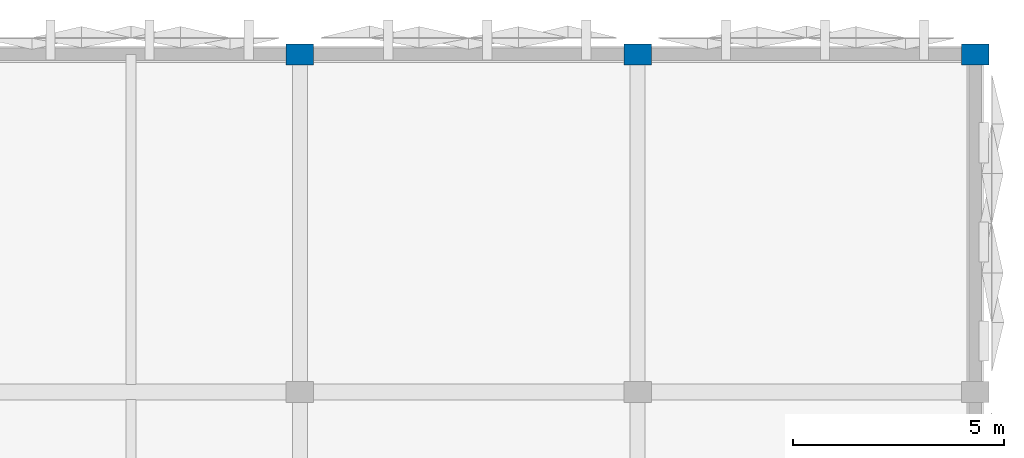
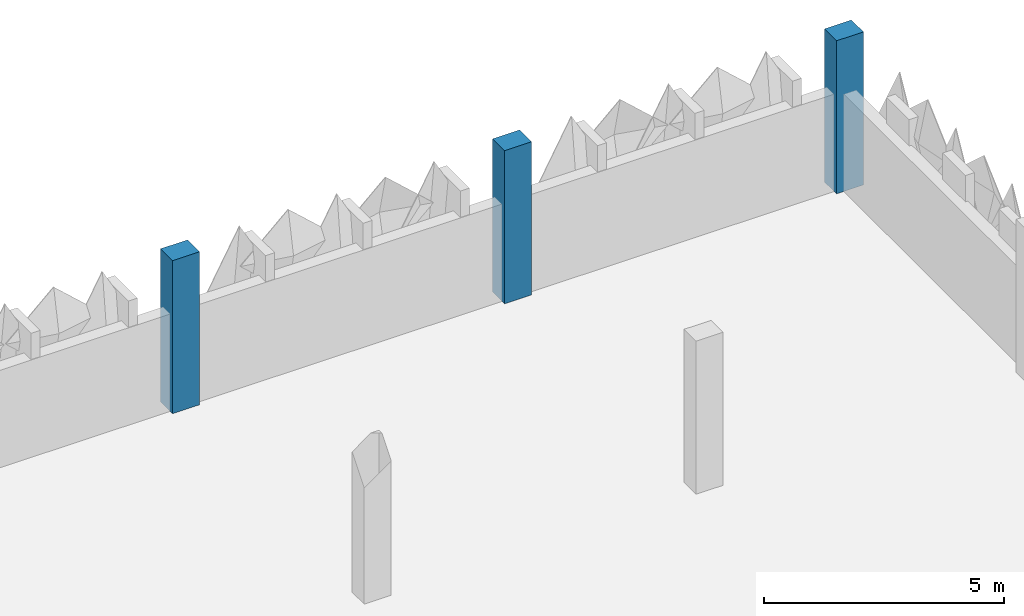
# One storey, part 10 of 83: 3 columns.
"""IFC4 building model written with IfcOpenShell, lengths in metres."""

from ifc_helpers import new_model, si_unit, derived_unit, direction, frame, origin, origin_2d, place, context, subcontext, project, spatial, rectangle, extrude, material, material_profile, profile_set, type_object, element, save


model = new_model("IFC4")

# Units and contexts
model_context = context("Model", 3, precision=1e-05, world=origin(), true_north=direction((0.0, 1.0)))
body_context = subcontext(model_context, "Body", "Model", "MODEL_VIEW")
ifc_project = project(units=[si_unit("LENGTHUNIT", "METRE"), si_unit("AREAUNIT", "SQUARE_METRE"), si_unit("VOLUMEUNIT", "CUBIC_METRE"), si_unit("PLANEANGLEUNIT", "RADIAN"), si_unit("MASSUNIT", "GRAM", prefix="KILO"), si_unit("THERMODYNAMICTEMPERATUREUNIT", "KELVIN"), derived_unit("THERMALTRANSMITTANCEUNIT", [(si_unit("POWERUNIT", "WATT"), 1), (si_unit("AREAUNIT", "SQUARE_METRE"), -1), (si_unit("THERMODYNAMICTEMPERATUREUNIT", "KELVIN"), -1)])], contexts=[model_context])

# Site, building, storey
site_placement = place(None, origin())
site = spatial("IfcSite", under=ifc_project, at=site_placement, CompositionType="ELEMENT")
building_placement = place(site_placement, origin())
building = spatial("IfcBuilding", under=site, at=building_placement, Name="Haiyu Intermodal Mobility Hub", CompositionType="ELEMENT")
storey_placement = place(building_placement, frame((0.0, 0.0, 13.39990234375)))
storey = spatial("IfcBuildingStorey", under=building, at=storey_placement, Name="L03", CompositionType="ELEMENT", Elevation=13.39990234375)

# Columns
ifc_material = material(Name="Concrete C40", Category="concrete")
ifc_material_profile = material_profile(ifc_material, rectangle(XDim=0.64990234375, YDim=0.5, at=origin_2d()), Name="C650x500")
ifc_profile_set = profile_set([ifc_material_profile], Name="Concrete C40")
column_type = type_object("IfcColumnType", Name="COL-CC17-EXT", PredefinedType="COLUMN", material=ifc_profile_set)
for number, where, z_axis, x_axis, name in (
    (1, (194.0, 148.0, 0.0), (0.0, 0.0, 1.0), (1.0, 0.0, 0.0), "Column V6-22S L03"),
    (2, (202.0, 148.0, 0.0), (0.0, 0.0, 1.0), (1.0, 0.0, 0.0), "Column V6-23S L03"),
    (3, (210.0, 148.0, 0.0), (0.0, 0.0, 1.0), (1.0, 0.0, 0.0), "Column V6-24S L03"),
):
    element("IfcColumn", number, at=place(storey_placement, frame(where, z_axis=z_axis, x_axis=x_axis)), inside=storey, type_object=column_type, Name=name, PredefinedType="COLUMN", context=body_context, shape_type="SweptSolid", body=[
        extrude(rectangle(XDim=0.64990234375, YDim=0.5, at=origin_2d()), origin(), (0.0, 0.0, 1.0), 3.900146484375),
    ])

save(model, "model.ifc")
